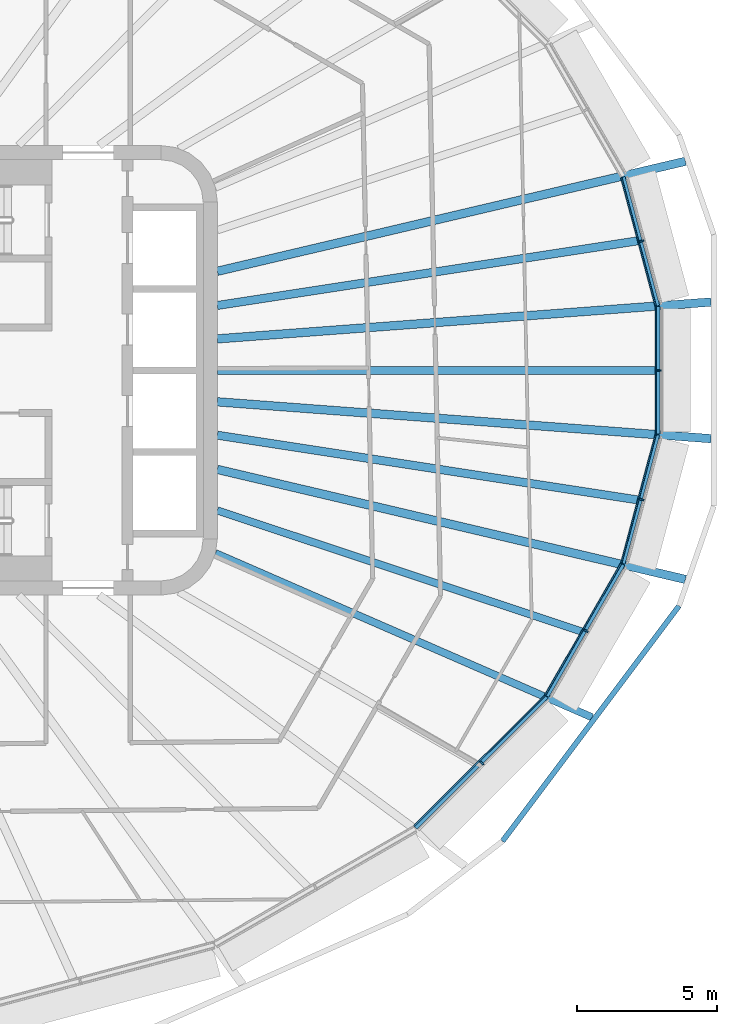
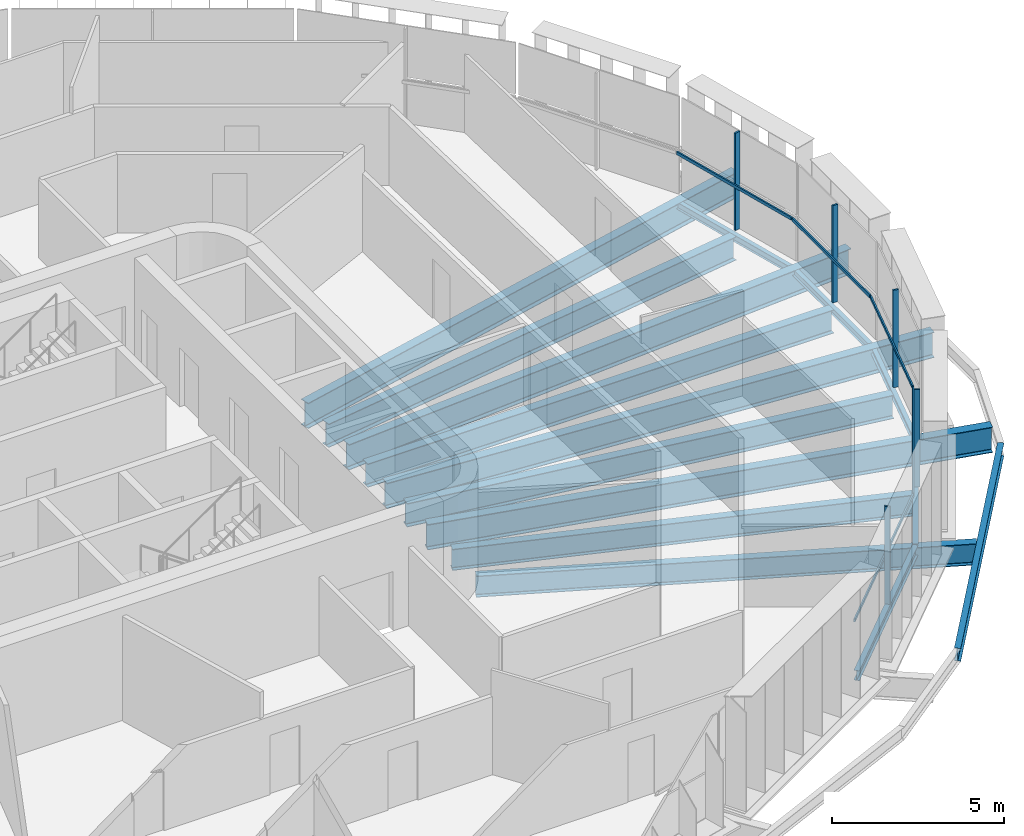
# One storey, part 4 of 21: 15 beams, 10 members, 5 elements without a shape of their own.
"""IFC4 building model written with IfcOpenShell, lengths in metres."""

from ifc_helpers import new_model, si_unit, direction, frame, origin, origin_2d, place, context, subcontext, project, spatial, rectangle, i_section, extrude, material, layer, layer_set, material_profile, profile_set, type_object, element, aggregate, save


model = new_model("IFC4")

# Units and contexts
model_context = context("Model", 3, precision=1e-05, world=origin(), true_north=direction((0.0, 1.0)))
body_context = subcontext(model_context, "Body", "Model", "MODEL_VIEW")
ifc_project = project(units=[si_unit("LENGTHUNIT", "METRE"), si_unit("AREAUNIT", "SQUARE_METRE"), si_unit("VOLUMEUNIT", "CUBIC_METRE"), si_unit("PLANEANGLEUNIT", "RADIAN"), si_unit("MASSUNIT", "GRAM", prefix="KILO")], contexts=[model_context])

# Site, building, storey
site_placement = place(None, origin())
site = spatial("IfcSite", under=ifc_project, at=site_placement, CompositionType="ELEMENT")
building_placement = place(site_placement, origin())
building = spatial("IfcBuilding", under=site, at=building_placement, Name="Sahrelin Media Tower", CompositionType="ELEMENT")
storey_placement = place(building_placement, frame((0.0, 0.0, 193.60009765625)))
storey = spatial("IfcBuildingStorey", under=building, at=storey_placement, Name="L41", CompositionType="ELEMENT", Elevation=193.60009765625)

# Beams
ifc_material_1 = material(Name="Steel S355", Category="steel")
ifc_material_profile_1 = material_profile(ifc_material_1, i_section(OverallWidth=0.14599609375, OverallDepth=0.25146484375, WebThickness=0.006103515625, FlangeThickness=0.008544921875, FilletRadius=0.007568359375, at=origin_2d()), Name="UB 254x146x31")
ifc_profile_set_1 = profile_set([ifc_material_profile_1], Name="Steel S355")
beam_type_1 = type_object("IfcBeamType", Name="Edge beam EB1", PredefinedType="BEAM", material=ifc_profile_set_1)
beam_1_placement = place(storey_placement, frame((30.67724609375, 2.267578125, -0.27587890625), z_axis=(0.0, -1.0, 0.0), x_axis=(1.0, 0.0, 0.0)))
element("IfcBeam", 1, at=beam_1_placement, inside=storey, type_object=beam_type_1, Name="Edge beam L41-01", PredefinedType="BEAM", context=body_context, shape_type="SweptSolid", body=[
    extrude(i_section(OverallWidth=0.14599609375, OverallDepth=0.25146484375, WebThickness=0.006103515625, FlangeThickness=0.008544921875, FilletRadius=0.007568359375, at=origin_2d()), origin(), (0.0, 0.0, 1.0), 4.53515625),
])
for number, where, z_axis, x_axis, name in (
    (2, (30.673583984375, -2.296142578125, -0.27587890625), (-0.258840645059, -0.965920038339, 0.0), (0.965920038339, -0.258840645059, 0.0), "Edge beam L41-02"),
    (3, (29.445068359375, 6.880615234375, -0.27587890625), (0.258840645059, -0.965920038339, 0.0), (0.965920038339, 0.258840645059, 0.0), "Edge beam L41-24"),
):
    element("IfcBeam", number, at=place(storey_placement, frame(where, z_axis=z_axis, x_axis=x_axis)), inside=storey, type_object=beam_type_1, Name=name, PredefinedType="BEAM", context=body_context, shape_type="SweptSolid", body=[
        extrude(i_section(OverallWidth=0.14599609375, OverallDepth=0.25146484375, WebThickness=0.006103515625, FlangeThickness=0.008544921875, FilletRadius=0.007568359375, at=origin_2d()), origin(), (0.0, 0.0, 1.0), 4.746337890625),
    ])
ifc_material_profile_2 = material_profile(ifc_material_1, i_section(OverallWidth=0.1650390625, OverallDepth=0.303466796875, WebThickness=0.006103515625, FlangeThickness=0.01025390625, FilletRadius=0.0087890625, at=origin_2d()), Name="UB 305x165x40")
ifc_profile_set_2 = profile_set([ifc_material_profile_2], Name="Steel S355")
beam_type_2 = type_object("IfcBeamType", Name="Edge beam EB2", PredefinedType="BEAM", material=ifc_profile_set_2)
beam_2_placement = place(storey_placement, frame((29.43408203125, -6.9072265625, -0.3017578125), z_axis=(-0.500016705875, -0.866015758428, 0.0), x_axis=(0.866015758428, -0.500016705875, 0.0)))
element("IfcBeam", 4, at=beam_2_placement, inside=storey, type_object=beam_type_2, Name="Edge beam L41-03", PredefinedType="BEAM", context=body_context, shape_type="SweptSolid", body=[
    extrude(i_section(OverallWidth=0.1650390625, OverallDepth=0.303466796875, WebThickness=0.006103515625, FlangeThickness=0.01025390625, FilletRadius=0.0087890625, at=origin_2d()), origin(), (0.0, 0.0, 1.0), 5.410400390625),
])
ifc_material_profile_3 = material_profile(ifc_material_1, i_section(OverallWidth=0.17138671875, OverallDepth=0.35498046875, WebThickness=0.00732421875, FlangeThickness=0.011474609375, FilletRadius=0.01025390625, at=origin_2d()), Name="UB 356x171x51")
ifc_profile_set_3 = profile_set([ifc_material_profile_3], Name="Steel S355")
beam_type_3 = type_object("IfcBeamType", Name="Edge beam EB3", PredefinedType="BEAM", material=ifc_profile_set_3)
beam_3_placement = place(storey_placement, frame((26.711181640625, -11.61572265625, -0.32763671875), z_axis=(-0.70708825429, -0.707125307597, 0.0), x_axis=(0.707125307597, -0.70708825429, 0.0)))
element("IfcBeam", 5, at=beam_3_placement, inside=storey, type_object=beam_type_3, Name="Edge beam L41-04", PredefinedType="BEAM", context=body_context, shape_type="SweptSolid", body=[
    extrude(i_section(OverallWidth=0.17138671875, OverallDepth=0.35498046875, WebThickness=0.00732421875, FlangeThickness=0.011474609375, FilletRadius=0.01025390625, at=origin_2d()), origin(), (0.0, 0.0, 1.0), 6.5888671875),
])

# Curtain wall, member
ifc_material_2 = material(Name="Champagne anodised aluminium 6063-T6", Category="aluminium")
ifc_layer = layer(ifc_material_2, 0.14990234375)
ifc_layer_set = layer_set([ifc_layer], Name="Tower ribbon curtain wall")
curtain_wall_type = type_object("IfcCurtainWallType", Name="Tower ribbon curtain wall", PredefinedType="NOTDEFINED", material=ifc_layer_set)
curtain_wall_1_placement = place(storey_placement, frame((30.827392578125, 0.0, 0.0), z_axis=(0.0, 0.0, 1.0), x_axis=(1.0, 0.0, 0.0)))
curtain_wall_1 = element("IfcCurtainWall", 6, at=curtain_wall_1_placement, inside=storey, type_object=curtain_wall_type, Name="L41:CW:L41-00", PredefinedType="NOTDEFINED")
ifc_material_profile_4 = material_profile(ifc_material_2, rectangle(XDim=0.06005859375, YDim=0.175048828125, at=origin_2d()), Name="Mullion 60x175")
ifc_profile_set_4 = profile_set([ifc_material_profile_4], Name="Champagne anodised aluminium 6063-T6")
member_type_1 = type_object("IfcMemberType", Name="Mullion 60x175 CW1B", PredefinedType="MULLION", material=ifc_profile_set_4)
member_1_placement = place(storey_placement, frame((30.7197265625, 0.0, 0.0), z_axis=(0.0, 0.0, 1.0), x_axis=(0.0, 1.0, 0.0)))
member_1 = element("IfcMember", 7, at=member_1_placement, type_object=member_type_1, Name="L41:CWM:L41-00", PredefinedType="MULLION", context=body_context, shape_type="SweptSolid", body=[
    extrude(rectangle(XDim=0.06005859375, YDim=0.175048828125, at=origin_2d()), origin(), (0.0, 0.0, 1.0), 3.448486328125),
])

curtain_wall_2_placement = place(storey_placement, frame((30.2041015625, 4.627197265625, 0.0), z_axis=(0.0, 0.0, 1.0), x_axis=(1.0, 0.0, 0.0)))
curtain_wall_2 = element("IfcCurtainWall", 8, at=curtain_wall_2_placement, inside=storey, type_object=curtain_wall_type, Name="L41:CW:L41-01", PredefinedType="NOTDEFINED")
member_2_placement = place(storey_placement, frame((30.100341796875, 4.599365234375, 0.0), z_axis=(0.0, 0.0, 1.0), x_axis=(-0.25882916024, 0.965923115889, 0.0)))
member_2 = element("IfcMember", 9, at=member_2_placement, type_object=member_type_1, Name="L41:CWM:L41-01", PredefinedType="MULLION", context=body_context, shape_type="SweptSolid", body=[
    extrude(rectangle(XDim=0.06005859375, YDim=0.175048828125, at=origin_2d()), origin(), (0.0, 0.0, 1.0), 3.448486328125),
])

curtain_wall_3_placement = place(storey_placement, frame((24.48779296875, -14.05126953125, 0.0), z_axis=(0.0, 0.0, 1.0), x_axis=(1.0, 0.0, 0.0)))
curtain_wall_3 = element("IfcCurtainWall", 10, at=curtain_wall_3_placement, inside=storey, type_object=curtain_wall_type, Name="L41:CW:L41-21", PredefinedType="NOTDEFINED")
member_3_placement = place(storey_placement, frame((24.411865234375, -13.975341796875, 0.0), z_axis=(0.0, 0.0, 1.0), x_axis=(0.707106781187, 0.707106781187, 0.0)))
member_3 = element("IfcMember", 11, at=member_3_placement, type_object=member_type_1, Name="L41:CWM:L41-21", PredefinedType="MULLION", context=body_context, shape_type="SweptSolid", body=[
    extrude(rectangle(XDim=0.06005859375, YDim=0.175048828125, at=origin_2d()), origin(), (0.0, 0.0, 1.0), 3.448486328125),
])

curtain_wall_4_placement = place(storey_placement, frame((28.211181640625, -9.324951171875, 0.0), z_axis=(0.0, 0.0, 1.0), x_axis=(1.0, 0.0, 0.0)))
curtain_wall_4 = element("IfcCurtainWall", 12, at=curtain_wall_4_placement, inside=storey, type_object=curtain_wall_type, Name="L41:CW:L41-22", PredefinedType="NOTDEFINED")
member_4_placement = place(storey_placement, frame((28.118408203125, -9.271240234375, 0.0), z_axis=(0.0, 0.0, 1.0), x_axis=(0.499996976998, 0.866027149108, 0.0)))
member_4 = element("IfcMember", 13, at=member_4_placement, type_object=member_type_1, Name="L41:CWM:L41-22", PredefinedType="MULLION", context=body_context, shape_type="SweptSolid", body=[
    extrude(rectangle(XDim=0.06005859375, YDim=0.175048828125, at=origin_2d()), origin(), (0.0, 0.0, 1.0), 3.448486328125),
])

curtain_wall_5_placement = place(storey_placement, frame((30.2041015625, -4.627197265625, 0.0), z_axis=(0.0, 0.0, 1.0), x_axis=(1.0, 0.0, 0.0)))
curtain_wall_5 = element("IfcCurtainWall", 14, at=curtain_wall_5_placement, inside=storey, type_object=curtain_wall_type, Name="L41:CW:L41-23", PredefinedType="NOTDEFINED")
member_5_placement = place(storey_placement, frame((30.100341796875, -4.599365234375, 0.0), z_axis=(0.0, 0.0, 1.0), x_axis=(0.25882916024, 0.965923115889, 0.0)))
member_5 = element("IfcMember", 15, at=member_5_placement, type_object=member_type_1, Name="L41:CWM:L41-23", PredefinedType="MULLION", context=body_context, shape_type="SweptSolid", body=[
    extrude(rectangle(XDim=0.06005859375, YDim=0.175048828125, at=origin_2d()), origin(), (0.0, 0.0, 1.0), 3.448486328125),
])

# Beams
ifc_material_profile_5 = material_profile(ifc_material_1, i_section(OverallWidth=0.30322265625, OverallDepth=0.903076171875, WebThickness=0.01513671875, FlangeThickness=0.020263671875, FilletRadius=0.01904296875, at=origin_2d()), Name="UB 914x305x201")
ifc_profile_set_5 = profile_set([ifc_material_profile_5], Name="Steel S355")
beam_type_4 = type_object("IfcBeamType", Name="Radial primary beam PB11", PredefinedType="BEAM", material=ifc_profile_set_5)
beam_4_placement = place(storey_placement, frame((15.0, 1.1201171875, -0.6015625), z_axis=(0.997223922817, 0.074461048623, 0.0), x_axis=(-0.074461048623, 0.997223922817, 0.0)))
element("IfcBeam", 16, at=beam_4_placement, inside=storey, type_object=beam_type_4, Name="Radial beam L41-01", PredefinedType="BEAM", context=body_context, shape_type="SweptSolid", body=[
    extrude(i_section(OverallWidth=0.30322265625, OverallDepth=0.903076171875, WebThickness=0.01513671875, FlangeThickness=0.020263671875, FilletRadius=0.01904296875, at=origin_2d()), origin(), (0.0, 0.0, 1.0), 17.623291015625),
])
for number, where, z_axis, x_axis, name in (
    (17, (15.0, 3.525390625, -0.6015625), (0.973472324419, 0.228804793635, 0.0), (-0.228804793635, 0.973472324419, 0.0), "Radial beam L41-02"),
    (18, (15.0, -3.525390625, -0.6015625), (0.973472324419, -0.228804793635, 0.0), (0.228804793635, 0.973472324419, 0.0), "Radial beam L41-23"),
):
    element("IfcBeam", number, at=place(storey_placement, frame(where, z_axis=z_axis, x_axis=x_axis)), inside=storey, type_object=beam_type_4, Name=name, PredefinedType="BEAM", context=body_context, shape_type="SweptSolid", body=[
        extrude(i_section(OverallWidth=0.30322265625, OverallDepth=0.903076171875, WebThickness=0.01513671875, FlangeThickness=0.020263671875, FilletRadius=0.01904296875, at=origin_2d()), origin(), (0.0, 0.0, 1.0), 17.1162109375),
    ])
beam_5_placement = place(storey_placement, frame((15.0, -1.1201171875, -0.6015625), z_axis=(0.997223922817, -0.074461048623, 0.0), x_axis=(0.074461048623, 0.997223922817, 0.0)))
element("IfcBeam", 19, at=beam_5_placement, inside=storey, type_object=beam_type_4, Name="Radial beam L41-24", PredefinedType="BEAM", context=body_context, shape_type="SweptSolid", body=[
    extrude(i_section(OverallWidth=0.30322265625, OverallDepth=0.903076171875, WebThickness=0.01513671875, FlangeThickness=0.020263671875, FilletRadius=0.01904296875, at=origin_2d()), origin(), (0.0, 0.0, 1.0), 17.623291015625),
])
ifc_material_profile_6 = material_profile(ifc_material_1, i_section(OverallWidth=0.26513671875, OverallDepth=0.75390625, WebThickness=0.0126953125, FlangeThickness=0.017578125, FilletRadius=0.0166015625, at=origin_2d()), Name="UB 762x267x147")
ifc_profile_set_6 = profile_set([ifc_material_profile_6], Name="Steel S355")
beam_type_5 = type_object("IfcBeamType", Name="Radial primary beam PB9", PredefinedType="BEAM", material=ifc_profile_set_6)
beam_6_placement = place(storey_placement, frame((14.93310546875, -6.5078125, -0.527099609375), z_axis=(0.916731081727, -0.399504848275, 0.0), x_axis=(0.399504848275, 0.916731081727, 0.0)))
element("IfcBeam", 20, at=beam_6_placement, inside=storey, type_object=beam_type_5, Name="Radial beam L41-22", PredefinedType="BEAM", context=body_context, shape_type="SweptSolid", body=[
    extrude(i_section(OverallWidth=0.26513671875, OverallDepth=0.75390625, WebThickness=0.0126953125, FlangeThickness=0.017578125, FilletRadius=0.0166015625, at=origin_2d()), origin(), (0.0, 0.0, 1.0), 14.625),
])
ifc_material_profile_7 = material_profile(ifc_material_1, i_section(OverallWidth=0.291748046875, OverallDepth=0.8349609375, WebThickness=0.013916015625, FlangeThickness=0.018798828125, FilletRadius=0.017822265625, at=origin_2d()), Name="UB 838x292x176")
ifc_profile_set_7 = profile_set([ifc_material_profile_7], Name="Steel S355")
beam_type_6 = type_object("IfcBeamType", Name="Radial secondary beam SB10", PredefinedType="BEAM", material=ifc_profile_set_7)
for number, where, z_axis, x_axis, name in (
    (21, (15.0, 2.308349609375, -0.567626953125), (0.988366481837, 0.152091083176, 0.0), (-0.152091083176, 0.988366481837, 0.0), "Secondary beam L41-01"),
    (22, (15.0, -2.308349609375, -0.567626953125), (0.988366481837, -0.152091083176, 0.0), (0.152091083176, 0.988366481837, 0.0), "Secondary beam L41-23"),
):
    element("IfcBeam", number, at=place(storey_placement, frame(where, z_axis=z_axis, x_axis=x_axis)), inside=storey, type_object=beam_type_6, Name=name, PredefinedType="BEAM", context=body_context, shape_type="SweptSolid", body=[
        extrude(i_section(OverallWidth=0.291748046875, OverallDepth=0.8349609375, WebThickness=0.013916015625, FlangeThickness=0.018798828125, FilletRadius=0.017822265625, at=origin_2d()), origin(), (0.0, 0.0, 1.0), 15.1533203125),
    ])
beam_7_placement = place(storey_placement, frame((15.0, 0.0, -0.567626953125), z_axis=(1.0, 0.0, 0.0), x_axis=(0.0, 1.0, 0.0)))
element("IfcBeam", 23, at=beam_7_placement, inside=storey, type_object=beam_type_6, Name="Secondary beam L41-24", PredefinedType="BEAM", context=body_context, shape_type="SweptSolid", body=[
    extrude(i_section(OverallWidth=0.291748046875, OverallDepth=0.8349609375, WebThickness=0.013916015625, FlangeThickness=0.018798828125, FilletRadius=0.017822265625, at=origin_2d()), origin(), (0.0, 0.0, 1.0), 15.604248046875),
])
ifc_material_profile_8 = material_profile(ifc_material_1, i_section(OverallWidth=0.26513671875, OverallDepth=0.75390625, WebThickness=0.0126953125, FlangeThickness=0.017578125, FilletRadius=0.0166015625, at=origin_2d()), Name="UB 762x267x147")
ifc_profile_set_8 = profile_set([ifc_material_profile_8], Name="Steel S355")
beam_type_7 = type_object("IfcBeamType", Name="Radial secondary beam SB9", PredefinedType="BEAM", material=ifc_profile_set_8)
beam_8_placement = place(storey_placement, frame((15.0, -4.986083984375, -0.527099609375), z_axis=(0.948949304443, -0.315428625204, 0.0), x_axis=(0.315428625204, 0.948949304443, 0.0)))
element("IfcBeam", 24, at=beam_8_placement, inside=storey, type_object=beam_type_7, Name="Secondary beam L41-22", PredefinedType="BEAM", context=body_context, shape_type="SweptSolid", body=[
    extrude(i_section(OverallWidth=0.26513671875, OverallDepth=0.75390625, WebThickness=0.0126953125, FlangeThickness=0.017578125, FilletRadius=0.0166015625, at=origin_2d()), origin(), (0.0, 0.0, 1.0), 13.657958984375),
])
ifc_material_profile_9 = material_profile(ifc_material_1, i_section(OverallWidth=0.1904296875, OverallDepth=0.45703125, WebThickness=0.009033203125, FlangeThickness=0.014404296875, FilletRadius=0.01025390625, at=origin_2d()), Name="UB 457x191x74")
ifc_profile_set_9 = profile_set([ifc_material_profile_9], Name="Steel S355")
beam_type_8 = type_object("IfcBeamType", Name="Tie chord TC5", PredefinedType="BEAM", material=ifc_profile_set_9)
beam_9_placement = place(storey_placement, frame((25.150634765625, -16.76171875, -0.378662109375), z_axis=(0.600055947805, 0.799958036089, 0.0), x_axis=(-0.799958036089, 0.600055947805, 0.0)))
element("IfcBeam", 25, at=beam_9_placement, inside=storey, type_object=beam_type_8, Name="Tie chord L41-22", PredefinedType="BEAM", context=body_context, shape_type="SweptSolid", body=[
    extrude(i_section(OverallWidth=0.1904296875, OverallDepth=0.45703125, WebThickness=0.009033203125, FlangeThickness=0.014404296875, FilletRadius=0.01025390625, at=origin_2d()), origin(), (0.0, 0.0, 1.0), 10.47265625),
])

# Member
ifc_material_profile_10 = material_profile(ifc_material_2, rectangle(XDim=0.050048828125, YDim=0.110107421875, at=origin_2d()), Name="Transom 50x110")
ifc_profile_set_10 = profile_set([ifc_material_profile_10], Name="Champagne anodised aluminium 6063-T6")
member_type_2 = type_object("IfcMemberType", Name="Transom 50x110 CW1B", PredefinedType="USERDEFINED", material=ifc_profile_set_10)
member_6_placement = place(storey_placement, frame((30.607421875, -2.251708984375, 1.599853515625), z_axis=(0.0, 1.0, 0.0), x_axis=(-1.0, 0.0, 0.0)))
member_6 = element("IfcMember", 26, at=member_6_placement, type_object=member_type_2, Name="L41:CWT:L41-00", ObjectType="TRANSOM", PredefinedType="USERDEFINED", context=body_context, shape_type="SweptSolid", body=[
    extrude(rectangle(XDim=0.050048828125, YDim=0.110107421875, at=origin_2d()), origin(), (0.0, 0.0, 1.0), 4.50341796875),
])

aggregate(curtain_wall_1, [member_1, member_6])

member_7_placement = place(storey_placement, frame((30.601806640625, 2.293212890625, 1.599853515625), z_axis=(-0.258803380373, 0.965930023505, 0.0), x_axis=(-0.965930023505, -0.258803380373, 0.0)))
member_7 = element("IfcMember", 27, at=member_7_placement, type_object=member_type_2, Name="L41:CWT:L41-01", ObjectType="TRANSOM", PredefinedType="USERDEFINED", context=body_context, shape_type="SweptSolid", body=[
    extrude(rectangle(XDim=0.050048828125, YDim=0.110107421875, at=origin_2d()), origin(), (0.0, 0.0, 1.0), 4.71484375),
])

aggregate(curtain_wall_2, [member_2, member_7])

member_8_placement = place(storey_placement, frame((22.013916015625, -16.214111328125, 1.599853515625), z_axis=(0.707106781187, 0.707106781187, 0.0), x_axis=(-0.707106781187, 0.707106781187, 0.0)))
member_8 = element("IfcMember", 28, at=member_8_placement, type_object=member_type_2, Name="L41:CWT:L41-21", ObjectType="TRANSOM", PredefinedType="USERDEFINED", context=body_context, shape_type="SweptSolid", body=[
    extrude(rectangle(XDim=0.050048828125, YDim=0.110107421875, at=origin_2d()), origin(), (0.0, 0.0, 1.0), 6.557373046875),
])

aggregate(curtain_wall_3, [member_3, member_8])

member_9_placement = place(storey_placement, frame((26.676025390625, -11.544189453125, 1.599853515625), z_axis=(0.499985686398, 0.866033667589, 0.0), x_axis=(-0.866033667589, 0.499985686398, 0.0)))
member_9 = element("IfcMember", 29, at=member_9_placement, type_object=member_type_2, Name="L41:CWT:L41-22", ObjectType="TRANSOM", PredefinedType="USERDEFINED", context=body_context, shape_type="SweptSolid", body=[
    extrude(rectangle(XDim=0.050048828125, YDim=0.110107421875, at=origin_2d()), origin(), (0.0, 0.0, 1.0), 5.379150390625),
])

aggregate(curtain_wall_4, [member_4, member_9])

member_10_placement = place(storey_placement, frame((29.381591796875, -6.847412109375, 1.599853515625), z_axis=(0.258803380373, 0.965930023505, 0.0), x_axis=(-0.965930023505, 0.258803380373, 0.0)))
member_10 = element("IfcMember", 30, at=member_10_placement, type_object=member_type_2, Name="L41:CWT:L41-23", ObjectType="TRANSOM", PredefinedType="USERDEFINED", context=body_context, shape_type="SweptSolid", body=[
    extrude(rectangle(XDim=0.050048828125, YDim=0.110107421875, at=origin_2d()), origin(), (0.0, 0.0, 1.0), 4.71484375),
])

aggregate(curtain_wall_5, [member_5, member_10])

save(model, "model.ifc")
